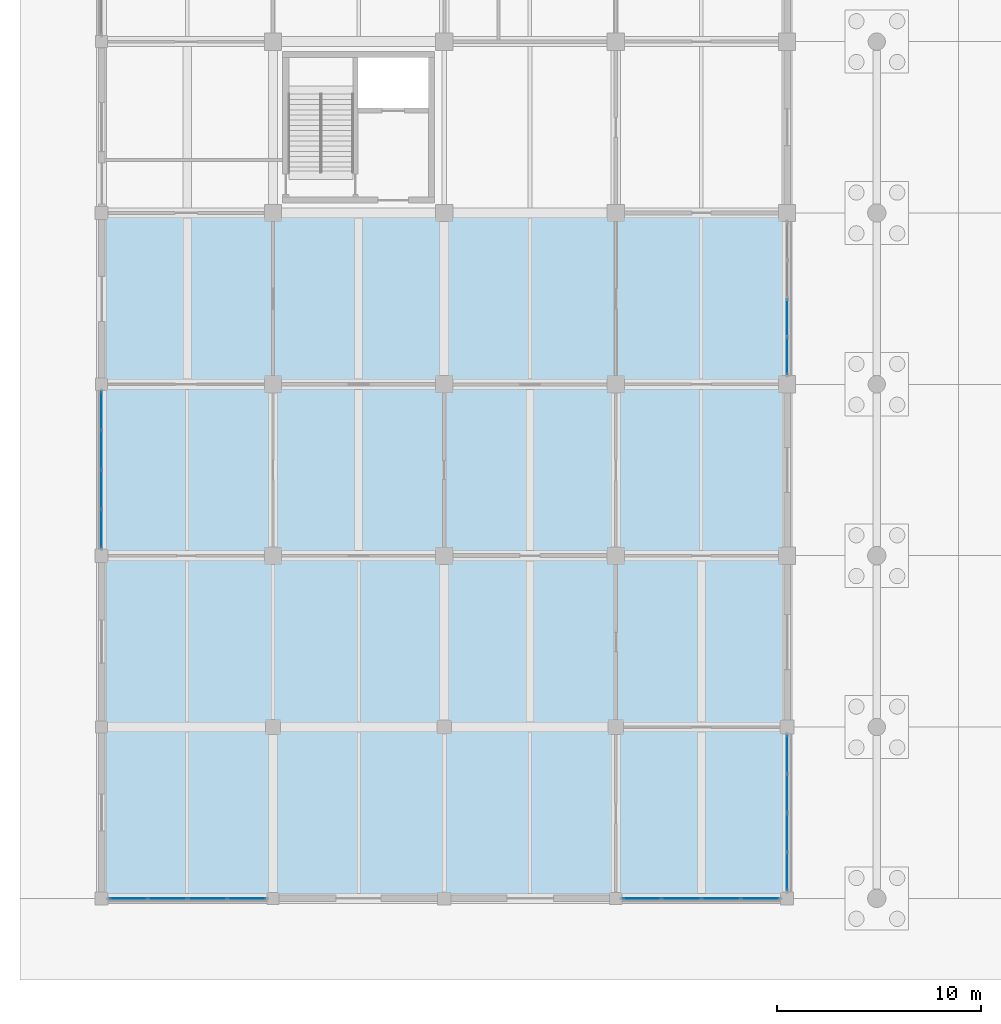
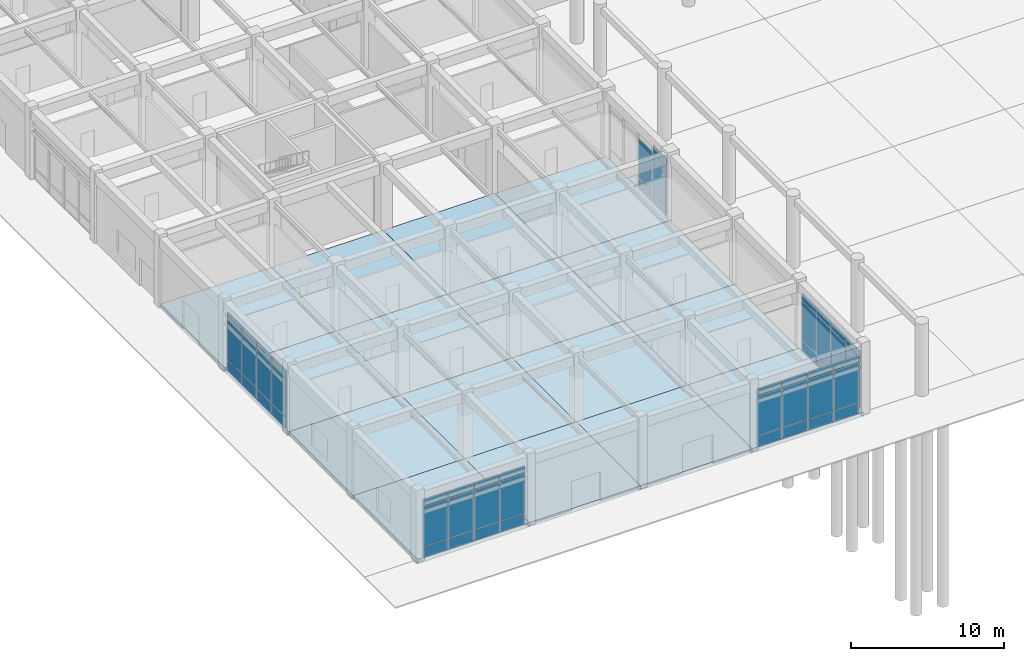
# One storey, part 48 of 91: 53 plates, 16 slabs, 5 elements without a shape of their own.
"""IFC4 building model written with IfcOpenShell, lengths in metres."""

from ifc_helpers import new_model, si_unit, direction, frame, origin, origin_2d, place, context, subcontext, project, spatial, polyline, rectangle, outline, extrude, material, layer, layer_set, type_object, element, aggregate, save


model = new_model("IFC4")

# Units and contexts
model_context = context("Model", 3, precision=1e-05, world=origin(), true_north=direction((0.0, 1.0)))
body_context = subcontext(model_context, "Body", "Model", "MODEL_VIEW")
ifc_project = project(units=[si_unit("LENGTHUNIT", "METRE"), si_unit("AREAUNIT", "SQUARE_METRE"), si_unit("VOLUMEUNIT", "CUBIC_METRE"), si_unit("PLANEANGLEUNIT", "RADIAN"), si_unit("MASSUNIT", "GRAM", prefix="KILO")], contexts=[model_context])

# Site, building, storey
site_placement = place(None, origin())
site = spatial("IfcSite", under=ifc_project, at=site_placement, CompositionType="ELEMENT")
building_placement = place(site_placement, origin())
building = spatial("IfcBuilding", under=site, at=building_placement, Name="Porcellanite Civic Hall", CompositionType="ELEMENT")
storey_placement = place(building_placement, origin())
storey = spatial("IfcBuildingStorey", under=building, at=storey_placement, Name="L00", CompositionType="ELEMENT", Elevation=0.0)

# Curtain wall, plates
ifc_material_1 = material(Name="Anodised aluminium and solar laminated glass", Category="aluminium")
ifc_layer_1 = layer(ifc_material_1, 0.179931640625)
ifc_layer_set_1 = layer_set([ifc_layer_1], Name="Anodised aluminium and solar laminated glass")
curtain_wall_type = type_object("IfcCurtainWallType", Name="CW-SYS05", PredefinedType="NOTDEFINED", material=ifc_layer_set_1)
curtain_wall_1_placement = place(storey_placement, origin())
curtain_wall_1 = element("IfcCurtainWall", 1, at=curtain_wall_1_placement, inside=storey, type_object=curtain_wall_type, Name="Curtain wall CW-001", PredefinedType="NOTDEFINED")
ifc_material_2 = material(Name="Cyclone laminated solar-control low-E glass", Category="glass")
ifc_layer_2 = layer(ifc_material_2, 0.028076171875)
ifc_layer_set_2 = layer_set([ifc_layer_2], Name="Cyclone laminated solar-control low-E glass")
plate_type = type_object("IfcPlateType", Name="CWP-03", PredefinedType="CURTAIN_PANEL", material=ifc_layer_set_2)
plate_1_placement = place(storey_placement, frame((7.10986328125, 0.0, 0.06005859375), z_axis=(0.0, 0.0, 1.0), x_axis=(-1.0, 0.0, 0.0)))
plate_1 = element("IfcPlate", 2, at=plate_1_placement, type_object=plate_type, Name="CW-001 panel 1.1", PredefinedType="CURTAIN_PANEL", context=body_context, shape_type="SweptSolid", body=[
    extrude(rectangle(XDim=1.838134765625, YDim=0.028076171875, at=origin_2d()), origin(), (0.0, 0.0, 1.0), 0.81005859375),
])
plate_2_placement = place(storey_placement, frame((7.10986328125, 0.0, 0.93017578125), z_axis=(0.0, 0.0, 1.0), x_axis=(-1.0, 0.0, 0.0)))
plate_2 = element("IfcPlate", 3, at=plate_2_placement, type_object=plate_type, Name="CW-001 panel 1.2", PredefinedType="CURTAIN_PANEL", context=body_context, shape_type="SweptSolid", body=[
    extrude(rectangle(XDim=1.838134765625, YDim=0.028076171875, at=origin_2d()), origin(), (0.0, 0.0, 1.0), 3.090087890625),
])
plate_3_placement = place(storey_placement, frame((7.10986328125, 0.0, 4.080078125), z_axis=(0.0, 0.0, 1.0), x_axis=(-1.0, 0.0, 0.0)))
plate_3 = element("IfcPlate", 4, at=plate_3_placement, type_object=plate_type, Name="CW-001 panel 1.3", PredefinedType="CURTAIN_PANEL", context=body_context, shape_type="SweptSolid", body=[
    extrude(rectangle(XDim=1.838134765625, YDim=0.028076171875, at=origin_2d()), origin(), (0.0, 0.0, 1.0), 0.56005859375),
])
plate_4_placement = place(storey_placement, frame((5.18408203125, 0.0, 0.06005859375), z_axis=(0.0, 0.0, 1.0), x_axis=(-1.0, 0.0, 0.0)))
plate_4 = element("IfcPlate", 5, at=plate_4_placement, type_object=plate_type, Name="CW-001 panel 2.1", PredefinedType="CURTAIN_PANEL", context=body_context, shape_type="SweptSolid", body=[
    extrude(rectangle(XDim=1.873291015625, YDim=0.028076171875, at=origin_2d()), origin(), (0.0, 0.0, 1.0), 0.81005859375),
])
plate_5_placement = place(storey_placement, frame((5.18408203125, 0.0, 0.93017578125), z_axis=(0.0, 0.0, 1.0), x_axis=(-1.0, 0.0, 0.0)))
plate_5 = element("IfcPlate", 6, at=plate_5_placement, type_object=plate_type, Name="CW-001 panel 2.2", PredefinedType="CURTAIN_PANEL", context=body_context, shape_type="SweptSolid", body=[
    extrude(rectangle(XDim=1.873291015625, YDim=0.028076171875, at=origin_2d()), origin(), (0.0, 0.0, 1.0), 3.090087890625),
])
plate_6_placement = place(storey_placement, frame((5.18408203125, 0.0, 4.080078125), z_axis=(0.0, 0.0, 1.0), x_axis=(-1.0, 0.0, 0.0)))
plate_6 = element("IfcPlate", 7, at=plate_6_placement, type_object=plate_type, Name="CW-001 panel 2.3", PredefinedType="CURTAIN_PANEL", context=body_context, shape_type="SweptSolid", body=[
    extrude(rectangle(XDim=1.873291015625, YDim=0.028076171875, at=origin_2d()), origin(), (0.0, 0.0, 1.0), 0.56005859375),
])
plate_7_placement = place(storey_placement, frame((3.240966796875, 0.0, 0.06005859375), z_axis=(0.0, 0.0, 1.0), x_axis=(-1.0, 0.0, 0.0)))
plate_7 = element("IfcPlate", 8, at=plate_7_placement, type_object=plate_type, Name="CW-001 panel 3.1", PredefinedType="CURTAIN_PANEL", context=body_context, shape_type="SweptSolid", body=[
    extrude(rectangle(XDim=1.873291015625, YDim=0.028076171875, at=origin_2d()), origin(), (0.0, 0.0, 1.0), 0.81005859375),
])
plate_8_placement = place(storey_placement, frame((3.240966796875, 0.0, 0.93017578125), z_axis=(0.0, 0.0, 1.0), x_axis=(-1.0, 0.0, 0.0)))
plate_8 = element("IfcPlate", 9, at=plate_8_placement, type_object=plate_type, Name="CW-001 panel 3.2", PredefinedType="CURTAIN_PANEL", context=body_context, shape_type="SweptSolid", body=[
    extrude(rectangle(XDim=1.873291015625, YDim=0.028076171875, at=origin_2d()), origin(), (0.0, 0.0, 1.0), 3.090087890625),
])
plate_9_placement = place(storey_placement, frame((3.240966796875, 0.0, 4.080078125), z_axis=(0.0, 0.0, 1.0), x_axis=(-1.0, 0.0, 0.0)))
plate_9 = element("IfcPlate", 10, at=plate_9_placement, type_object=plate_type, Name="CW-001 panel 3.3", PredefinedType="CURTAIN_PANEL", context=body_context, shape_type="SweptSolid", body=[
    extrude(rectangle(XDim=1.873291015625, YDim=0.028076171875, at=origin_2d()), origin(), (0.0, 0.0, 1.0), 0.56005859375),
])
plate_10_placement = place(storey_placement, frame((1.315185546875, 0.0, 0.06005859375), z_axis=(0.0, 0.0, 1.0), x_axis=(-1.0, 0.0, 0.0)))
plate_10 = element("IfcPlate", 11, at=plate_10_placement, type_object=plate_type, Name="CW-001 panel 4.1", PredefinedType="CURTAIN_PANEL", context=body_context, shape_type="SweptSolid", body=[
    extrude(rectangle(XDim=1.838134765625, YDim=0.028076171875, at=origin_2d()), origin(), (0.0, 0.0, 1.0), 0.81005859375),
])
plate_11_placement = place(storey_placement, frame((1.315185546875, 0.0, 0.93017578125), z_axis=(0.0, 0.0, 1.0), x_axis=(-1.0, 0.0, 0.0)))
plate_11 = element("IfcPlate", 12, at=plate_11_placement, type_object=plate_type, Name="CW-001 panel 4.2", PredefinedType="CURTAIN_PANEL", context=body_context, shape_type="SweptSolid", body=[
    extrude(rectangle(XDim=1.838134765625, YDim=0.028076171875, at=origin_2d()), origin(), (0.0, 0.0, 1.0), 3.090087890625),
])
plate_12_placement = place(storey_placement, frame((1.315185546875, 0.0, 4.080078125), z_axis=(0.0, 0.0, 1.0), x_axis=(-1.0, 0.0, 0.0)))
plate_12 = element("IfcPlate", 13, at=plate_12_placement, type_object=plate_type, Name="CW-001 panel 4.3", PredefinedType="CURTAIN_PANEL", context=body_context, shape_type="SweptSolid", body=[
    extrude(rectangle(XDim=1.838134765625, YDim=0.028076171875, at=origin_2d()), origin(), (0.0, 0.0, 1.0), 0.56005859375),
])
aggregate(curtain_wall_1, [plate_1, plate_2, plate_3, plate_4, plate_5, plate_6, plate_7, plate_8, plate_9, plate_10, plate_11, plate_12])

curtain_wall_2_placement = place(storey_placement, origin())
curtain_wall_2 = element("IfcCurtainWall", 14, at=curtain_wall_2_placement, inside=storey, type_object=curtain_wall_type, Name="Curtain wall CW-002", PredefinedType="NOTDEFINED")
plate_13_placement = place(storey_placement, frame((0.0, 18.115234375, 0.06005859375), z_axis=(0.0, 0.0, 1.0), x_axis=(0.0, 1.0, 0.0)))
plate_13 = element("IfcPlate", 15, at=plate_13_placement, type_object=plate_type, Name="CW-002 panel 1.1", PredefinedType="CURTAIN_PANEL", context=body_context, shape_type="SweptSolid", body=[
    extrude(rectangle(XDim=1.838134765625, YDim=0.028076171875, at=origin_2d()), origin(), (0.0, 0.0, 1.0), 0.81005859375),
])
plate_14_placement = place(storey_placement, frame((0.0, 18.115234375, 0.93017578125), z_axis=(0.0, 0.0, 1.0), x_axis=(0.0, 1.0, 0.0)))
plate_14 = element("IfcPlate", 16, at=plate_14_placement, type_object=plate_type, Name="CW-002 panel 1.2", PredefinedType="CURTAIN_PANEL", context=body_context, shape_type="SweptSolid", body=[
    extrude(rectangle(XDim=1.838134765625, YDim=0.028076171875, at=origin_2d()), origin(), (0.0, 0.0, 1.0), 3.090087890625),
])
plate_15_placement = place(storey_placement, frame((0.0, 18.115234375, 4.080078125), z_axis=(0.0, 0.0, 1.0), x_axis=(0.0, 1.0, 0.0)))
plate_15 = element("IfcPlate", 17, at=plate_15_placement, type_object=plate_type, Name="CW-002 panel 1.3", PredefinedType="CURTAIN_PANEL", context=body_context, shape_type="SweptSolid", body=[
    extrude(rectangle(XDim=1.838134765625, YDim=0.028076171875, at=origin_2d()), origin(), (0.0, 0.0, 1.0), 0.56005859375),
])
plate_16_placement = place(storey_placement, frame((0.0, 20.040771484375, 0.06005859375), z_axis=(0.0, 0.0, 1.0), x_axis=(0.0, 1.0, 0.0)))
plate_16 = element("IfcPlate", 18, at=plate_16_placement, type_object=plate_type, Name="CW-002 panel 2.1", PredefinedType="CURTAIN_PANEL", context=body_context, shape_type="SweptSolid", body=[
    extrude(rectangle(XDim=1.873291015625, YDim=0.028076171875, at=origin_2d()), origin(), (0.0, 0.0, 1.0), 0.81005859375),
])
plate_17_placement = place(storey_placement, frame((0.0, 20.040771484375, 0.93017578125), z_axis=(0.0, 0.0, 1.0), x_axis=(0.0, 1.0, 0.0)))
plate_17 = element("IfcPlate", 19, at=plate_17_placement, type_object=plate_type, Name="CW-002 panel 2.2", PredefinedType="CURTAIN_PANEL", context=body_context, shape_type="SweptSolid", body=[
    extrude(rectangle(XDim=1.873291015625, YDim=0.028076171875, at=origin_2d()), origin(), (0.0, 0.0, 1.0), 3.090087890625),
])
plate_18_placement = place(storey_placement, frame((0.0, 20.040771484375, 4.080078125), z_axis=(0.0, 0.0, 1.0), x_axis=(0.0, 1.0, 0.0)))
plate_18 = element("IfcPlate", 20, at=plate_18_placement, type_object=plate_type, Name="CW-002 panel 2.3", PredefinedType="CURTAIN_PANEL", context=body_context, shape_type="SweptSolid", body=[
    extrude(rectangle(XDim=1.873291015625, YDim=0.028076171875, at=origin_2d()), origin(), (0.0, 0.0, 1.0), 0.56005859375),
])
plate_19_placement = place(storey_placement, frame((0.0, 21.984130859375, 0.06005859375), z_axis=(0.0, 0.0, 1.0), x_axis=(0.0, 1.0, 0.0)))
plate_19 = element("IfcPlate", 21, at=plate_19_placement, type_object=plate_type, Name="CW-002 panel 3.1", PredefinedType="CURTAIN_PANEL", context=body_context, shape_type="SweptSolid", body=[
    extrude(rectangle(XDim=1.873291015625, YDim=0.028076171875, at=origin_2d()), origin(), (0.0, 0.0, 1.0), 0.81005859375),
])
plate_20_placement = place(storey_placement, frame((0.0, 21.984130859375, 0.93017578125), z_axis=(0.0, 0.0, 1.0), x_axis=(0.0, 1.0, 0.0)))
plate_20 = element("IfcPlate", 22, at=plate_20_placement, type_object=plate_type, Name="CW-002 panel 3.2", PredefinedType="CURTAIN_PANEL", context=body_context, shape_type="SweptSolid", body=[
    extrude(rectangle(XDim=1.873291015625, YDim=0.028076171875, at=origin_2d()), origin(), (0.0, 0.0, 1.0), 3.090087890625),
])
plate_21_placement = place(storey_placement, frame((0.0, 21.984130859375, 4.080078125), z_axis=(0.0, 0.0, 1.0), x_axis=(0.0, 1.0, 0.0)))
plate_21 = element("IfcPlate", 23, at=plate_21_placement, type_object=plate_type, Name="CW-002 panel 3.3", PredefinedType="CURTAIN_PANEL", context=body_context, shape_type="SweptSolid", body=[
    extrude(rectangle(XDim=1.873291015625, YDim=0.028076171875, at=origin_2d()), origin(), (0.0, 0.0, 1.0), 0.56005859375),
])
plate_22_placement = place(storey_placement, frame((0.0, 23.909912109375, 0.06005859375), z_axis=(0.0, 0.0, 1.0), x_axis=(0.0, 1.0, 0.0)))
plate_22 = element("IfcPlate", 24, at=plate_22_placement, type_object=plate_type, Name="CW-002 panel 4.1", PredefinedType="CURTAIN_PANEL", context=body_context, shape_type="SweptSolid", body=[
    extrude(rectangle(XDim=1.838134765625, YDim=0.028076171875, at=origin_2d()), origin(), (0.0, 0.0, 1.0), 0.81005859375),
])
plate_23_placement = place(storey_placement, frame((0.0, 23.909912109375, 0.93017578125), z_axis=(0.0, 0.0, 1.0), x_axis=(0.0, 1.0, 0.0)))
plate_23 = element("IfcPlate", 25, at=plate_23_placement, type_object=plate_type, Name="CW-002 panel 4.2", PredefinedType="CURTAIN_PANEL", context=body_context, shape_type="SweptSolid", body=[
    extrude(rectangle(XDim=1.838134765625, YDim=0.028076171875, at=origin_2d()), origin(), (0.0, 0.0, 1.0), 3.090087890625),
])
plate_24_placement = place(storey_placement, frame((0.0, 23.909912109375, 4.080078125), z_axis=(0.0, 0.0, 1.0), x_axis=(0.0, 1.0, 0.0)))
plate_24 = element("IfcPlate", 26, at=plate_24_placement, type_object=plate_type, Name="CW-002 panel 4.3", PredefinedType="CURTAIN_PANEL", context=body_context, shape_type="SweptSolid", body=[
    extrude(rectangle(XDim=1.838134765625, YDim=0.028076171875, at=origin_2d()), origin(), (0.0, 0.0, 1.0), 0.56005859375),
])
aggregate(curtain_wall_2, [plate_13, plate_14, plate_15, plate_16, plate_17, plate_18, plate_19, plate_20, plate_21, plate_22, plate_23, plate_24])

curtain_wall_3_placement = place(storey_placement, origin())
curtain_wall_3 = element("IfcCurtainWall", 27, at=curtain_wall_3_placement, inside=storey, type_object=curtain_wall_type, Name="Curtain wall CW-010", PredefinedType="NOTDEFINED")
plate_25_placement = place(storey_placement, frame((32.284912109375, 0.0, 0.06005859375), z_axis=(0.0, 0.0, 1.0), x_axis=(-1.0, 0.0, 0.0)))
plate_25 = element("IfcPlate", 28, at=plate_25_placement, type_object=plate_type, Name="CW-010 panel 1.1", PredefinedType="CURTAIN_PANEL", context=body_context, shape_type="SweptSolid", body=[
    extrude(rectangle(XDim=1.838134765625, YDim=0.028076171875, at=origin_2d()), origin(), (0.0, 0.0, 1.0), 0.81005859375),
])
plate_26_placement = place(storey_placement, frame((32.284912109375, 0.0, 0.93017578125), z_axis=(0.0, 0.0, 1.0), x_axis=(-1.0, 0.0, 0.0)))
plate_26 = element("IfcPlate", 29, at=plate_26_placement, type_object=plate_type, Name="CW-010 panel 1.2", PredefinedType="CURTAIN_PANEL", context=body_context, shape_type="SweptSolid", body=[
    extrude(rectangle(XDim=1.838134765625, YDim=0.028076171875, at=origin_2d()), origin(), (0.0, 0.0, 1.0), 3.090087890625),
])
plate_27_placement = place(storey_placement, frame((32.284912109375, 0.0, 4.080078125), z_axis=(0.0, 0.0, 1.0), x_axis=(-1.0, 0.0, 0.0)))
plate_27 = element("IfcPlate", 30, at=plate_27_placement, type_object=plate_type, Name="CW-010 panel 1.3", PredefinedType="CURTAIN_PANEL", context=body_context, shape_type="SweptSolid", body=[
    extrude(rectangle(XDim=1.838134765625, YDim=0.028076171875, at=origin_2d()), origin(), (0.0, 0.0, 1.0), 0.56005859375),
])
plate_28_placement = place(storey_placement, frame((30.359130859375, 0.0, 0.06005859375), z_axis=(0.0, 0.0, 1.0), x_axis=(-1.0, 0.0, 0.0)))
plate_28 = element("IfcPlate", 31, at=plate_28_placement, type_object=plate_type, Name="CW-010 panel 2.1", PredefinedType="CURTAIN_PANEL", context=body_context, shape_type="SweptSolid", body=[
    extrude(rectangle(XDim=1.873291015625, YDim=0.028076171875, at=origin_2d()), origin(), (0.0, 0.0, 1.0), 0.81005859375),
])
plate_29_placement = place(storey_placement, frame((30.359130859375, 0.0, 0.93017578125), z_axis=(0.0, 0.0, 1.0), x_axis=(-1.0, 0.0, 0.0)))
plate_29 = element("IfcPlate", 32, at=plate_29_placement, type_object=plate_type, Name="CW-010 panel 2.2", PredefinedType="CURTAIN_PANEL", context=body_context, shape_type="SweptSolid", body=[
    extrude(rectangle(XDim=1.873291015625, YDim=0.028076171875, at=origin_2d()), origin(), (0.0, 0.0, 1.0), 3.090087890625),
])
plate_30_placement = place(storey_placement, frame((30.359130859375, 0.0, 4.080078125), z_axis=(0.0, 0.0, 1.0), x_axis=(-1.0, 0.0, 0.0)))
plate_30 = element("IfcPlate", 33, at=plate_30_placement, type_object=plate_type, Name="CW-010 panel 2.3", PredefinedType="CURTAIN_PANEL", context=body_context, shape_type="SweptSolid", body=[
    extrude(rectangle(XDim=1.873291015625, YDim=0.028076171875, at=origin_2d()), origin(), (0.0, 0.0, 1.0), 0.56005859375),
])
plate_31_placement = place(storey_placement, frame((28.415771484375, 0.0, 0.06005859375), z_axis=(0.0, 0.0, 1.0), x_axis=(-1.0, 0.0, 0.0)))
plate_31 = element("IfcPlate", 34, at=plate_31_placement, type_object=plate_type, Name="CW-010 panel 3.1", PredefinedType="CURTAIN_PANEL", context=body_context, shape_type="SweptSolid", body=[
    extrude(rectangle(XDim=1.873291015625, YDim=0.028076171875, at=origin_2d()), origin(), (0.0, 0.0, 1.0), 0.81005859375),
])
plate_32_placement = place(storey_placement, frame((28.415771484375, 0.0, 0.93017578125), z_axis=(0.0, 0.0, 1.0), x_axis=(-1.0, 0.0, 0.0)))
plate_32 = element("IfcPlate", 35, at=plate_32_placement, type_object=plate_type, Name="CW-010 panel 3.2", PredefinedType="CURTAIN_PANEL", context=body_context, shape_type="SweptSolid", body=[
    extrude(rectangle(XDim=1.873291015625, YDim=0.028076171875, at=origin_2d()), origin(), (0.0, 0.0, 1.0), 3.090087890625),
])
plate_33_placement = place(storey_placement, frame((28.415771484375, 0.0, 4.080078125), z_axis=(0.0, 0.0, 1.0), x_axis=(-1.0, 0.0, 0.0)))
plate_33 = element("IfcPlate", 36, at=plate_33_placement, type_object=plate_type, Name="CW-010 panel 3.3", PredefinedType="CURTAIN_PANEL", context=body_context, shape_type="SweptSolid", body=[
    extrude(rectangle(XDim=1.873291015625, YDim=0.028076171875, at=origin_2d()), origin(), (0.0, 0.0, 1.0), 0.56005859375),
])
plate_34_placement = place(storey_placement, frame((26.490234375, 0.0, 0.06005859375), z_axis=(0.0, 0.0, 1.0), x_axis=(-1.0, 0.0, 0.0)))
plate_34 = element("IfcPlate", 37, at=plate_34_placement, type_object=plate_type, Name="CW-010 panel 4.1", PredefinedType="CURTAIN_PANEL", context=body_context, shape_type="SweptSolid", body=[
    extrude(rectangle(XDim=1.838134765625, YDim=0.028076171875, at=origin_2d()), origin(), (0.0, 0.0, 1.0), 0.81005859375),
])
plate_35_placement = place(storey_placement, frame((26.490234375, 0.0, 0.93017578125), z_axis=(0.0, 0.0, 1.0), x_axis=(-1.0, 0.0, 0.0)))
plate_35 = element("IfcPlate", 38, at=plate_35_placement, type_object=plate_type, Name="CW-010 panel 4.2", PredefinedType="CURTAIN_PANEL", context=body_context, shape_type="SweptSolid", body=[
    extrude(rectangle(XDim=1.838134765625, YDim=0.028076171875, at=origin_2d()), origin(), (0.0, 0.0, 1.0), 3.090087890625),
])
plate_36_placement = place(storey_placement, frame((26.490234375, 0.0, 4.080078125), z_axis=(0.0, 0.0, 1.0), x_axis=(-1.0, 0.0, 0.0)))
plate_36 = element("IfcPlate", 39, at=plate_36_placement, type_object=plate_type, Name="CW-010 panel 4.3", PredefinedType="CURTAIN_PANEL", context=body_context, shape_type="SweptSolid", body=[
    extrude(rectangle(XDim=1.838134765625, YDim=0.028076171875, at=origin_2d()), origin(), (0.0, 0.0, 1.0), 0.56005859375),
])
aggregate(curtain_wall_3, [plate_25, plate_26, plate_27, plate_28, plate_29, plate_30, plate_31, plate_32, plate_33, plate_34, plate_35, plate_36])

curtain_wall_4_placement = place(storey_placement, origin())
curtain_wall_4 = element("IfcCurtainWall", 40, at=curtain_wall_4_placement, inside=storey, type_object=curtain_wall_type, Name="Curtain wall CW-011", PredefinedType="NOTDEFINED")
plate_37_placement = place(storey_placement, frame((33.60009765625, 7.066162109375, 0.06005859375), z_axis=(0.0, 0.0, 1.0), x_axis=(0.0, -1.0, 0.0)))
plate_37 = element("IfcPlate", 41, at=plate_37_placement, type_object=plate_type, Name="CW-011 panel 1.1", PredefinedType="CURTAIN_PANEL", context=body_context, shape_type="SweptSolid", body=[
    extrude(rectangle(XDim=1.82568359375, YDim=0.028076171875, at=origin_2d()), origin(), (0.0, 0.0, 1.0), 0.81005859375),
])
plate_38_placement = place(storey_placement, frame((33.60009765625, 7.066162109375, 0.93017578125), z_axis=(0.0, 0.0, 1.0), x_axis=(0.0, -1.0, 0.0)))
plate_38 = element("IfcPlate", 42, at=plate_38_placement, type_object=plate_type, Name="CW-011 panel 1.2", PredefinedType="CURTAIN_PANEL", context=body_context, shape_type="SweptSolid", body=[
    extrude(rectangle(XDim=1.82568359375, YDim=0.028076171875, at=origin_2d()), origin(), (0.0, 0.0, 1.0), 3.090087890625),
])
plate_39_placement = place(storey_placement, frame((33.60009765625, 7.066162109375, 4.080078125), z_axis=(0.0, 0.0, 1.0), x_axis=(0.0, -1.0, 0.0)))
plate_39 = element("IfcPlate", 43, at=plate_39_placement, type_object=plate_type, Name="CW-011 panel 1.3", PredefinedType="CURTAIN_PANEL", context=body_context, shape_type="SweptSolid", body=[
    extrude(rectangle(XDim=1.82568359375, YDim=0.028076171875, at=origin_2d()), origin(), (0.0, 0.0, 1.0), 0.56005859375),
])
plate_40_placement = place(storey_placement, frame((33.60009765625, 5.15283203125, 0.06005859375), z_axis=(0.0, 0.0, 1.0), x_axis=(0.0, -1.0, 0.0)))
plate_40 = element("IfcPlate", 44, at=plate_40_placement, type_object=plate_type, Name="CW-011 panel 2.1", PredefinedType="CURTAIN_PANEL", context=body_context, shape_type="SweptSolid", body=[
    extrude(rectangle(XDim=1.86083984375, YDim=0.028076171875, at=origin_2d()), origin(), (0.0, 0.0, 1.0), 0.81005859375),
])
plate_41_placement = place(storey_placement, frame((33.60009765625, 5.15283203125, 0.93017578125), z_axis=(0.0, 0.0, 1.0), x_axis=(0.0, -1.0, 0.0)))
plate_41 = element("IfcPlate", 45, at=plate_41_placement, type_object=plate_type, Name="CW-011 panel 2.2", PredefinedType="CURTAIN_PANEL", context=body_context, shape_type="SweptSolid", body=[
    extrude(rectangle(XDim=1.86083984375, YDim=0.028076171875, at=origin_2d()), origin(), (0.0, 0.0, 1.0), 3.090087890625),
])
plate_42_placement = place(storey_placement, frame((33.60009765625, 5.15283203125, 4.080078125), z_axis=(0.0, 0.0, 1.0), x_axis=(0.0, -1.0, 0.0)))
plate_42 = element("IfcPlate", 46, at=plate_42_placement, type_object=plate_type, Name="CW-011 panel 2.3", PredefinedType="CURTAIN_PANEL", context=body_context, shape_type="SweptSolid", body=[
    extrude(rectangle(XDim=1.86083984375, YDim=0.028076171875, at=origin_2d()), origin(), (0.0, 0.0, 1.0), 0.56005859375),
])
plate_43_placement = place(storey_placement, frame((33.60009765625, 3.22216796875, 0.06005859375), z_axis=(0.0, 0.0, 1.0), x_axis=(0.0, -1.0, 0.0)))
plate_43 = element("IfcPlate", 47, at=plate_43_placement, type_object=plate_type, Name="CW-011 panel 3.1", PredefinedType="CURTAIN_PANEL", context=body_context, shape_type="SweptSolid", body=[
    extrude(rectangle(XDim=1.86083984375, YDim=0.028076171875, at=origin_2d()), origin(), (0.0, 0.0, 1.0), 0.81005859375),
])
plate_44_placement = place(storey_placement, frame((33.60009765625, 3.22216796875, 0.93017578125), z_axis=(0.0, 0.0, 1.0), x_axis=(0.0, -1.0, 0.0)))
plate_44 = element("IfcPlate", 48, at=plate_44_placement, type_object=plate_type, Name="CW-011 panel 3.2", PredefinedType="CURTAIN_PANEL", context=body_context, shape_type="SweptSolid", body=[
    extrude(rectangle(XDim=1.86083984375, YDim=0.028076171875, at=origin_2d()), origin(), (0.0, 0.0, 1.0), 3.090087890625),
])
plate_45_placement = place(storey_placement, frame((33.60009765625, 3.22216796875, 4.080078125), z_axis=(0.0, 0.0, 1.0), x_axis=(0.0, -1.0, 0.0)))
plate_45 = element("IfcPlate", 49, at=plate_45_placement, type_object=plate_type, Name="CW-011 panel 3.3", PredefinedType="CURTAIN_PANEL", context=body_context, shape_type="SweptSolid", body=[
    extrude(rectangle(XDim=1.86083984375, YDim=0.028076171875, at=origin_2d()), origin(), (0.0, 0.0, 1.0), 0.56005859375),
])
plate_46_placement = place(storey_placement, frame((33.60009765625, 1.308837890625, 0.06005859375), z_axis=(0.0, 0.0, 1.0), x_axis=(0.0, -1.0, 0.0)))
plate_46 = element("IfcPlate", 50, at=plate_46_placement, type_object=plate_type, Name="CW-011 panel 4.1", PredefinedType="CURTAIN_PANEL", context=body_context, shape_type="SweptSolid", body=[
    extrude(rectangle(XDim=1.82568359375, YDim=0.028076171875, at=origin_2d()), origin(), (0.0, 0.0, 1.0), 0.81005859375),
])
plate_47_placement = place(storey_placement, frame((33.60009765625, 1.308837890625, 0.93017578125), z_axis=(0.0, 0.0, 1.0), x_axis=(0.0, -1.0, 0.0)))
plate_47 = element("IfcPlate", 51, at=plate_47_placement, type_object=plate_type, Name="CW-011 panel 4.2", PredefinedType="CURTAIN_PANEL", context=body_context, shape_type="SweptSolid", body=[
    extrude(rectangle(XDim=1.82568359375, YDim=0.028076171875, at=origin_2d()), origin(), (0.0, 0.0, 1.0), 3.090087890625),
])
plate_48_placement = place(storey_placement, frame((33.60009765625, 1.308837890625, 4.080078125), z_axis=(0.0, 0.0, 1.0), x_axis=(0.0, -1.0, 0.0)))
plate_48 = element("IfcPlate", 52, at=plate_48_placement, type_object=plate_type, Name="CW-011 panel 4.3", PredefinedType="CURTAIN_PANEL", context=body_context, shape_type="SweptSolid", body=[
    extrude(rectangle(XDim=1.82568359375, YDim=0.028076171875, at=origin_2d()), origin(), (0.0, 0.0, 1.0), 0.56005859375),
])
aggregate(curtain_wall_4, [plate_37, plate_38, plate_39, plate_40, plate_41, plate_42, plate_43, plate_44, plate_45, plate_46, plate_47, plate_48])

curtain_wall_5_placement = place(storey_placement, origin())
curtain_wall_5 = element("IfcCurtainWall", 53, at=curtain_wall_5_placement, inside=storey, type_object=curtain_wall_type, Name="Curtain wall CW-012", PredefinedType="NOTDEFINED")
plate_49_placement = place(storey_placement, frame((33.60009765625, 28.45654296875, 0.06005859375), z_axis=(0.0, 0.0, 1.0), x_axis=(0.0, -1.0, 0.0)))
plate_49 = element("IfcPlate", 54, at=plate_49_placement, type_object=plate_type, Name="CW-012 panel 3.1", PredefinedType="CURTAIN_PANEL", context=body_context, shape_type="SweptSolid", body=[
    extrude(rectangle(XDim=1.81689453125, YDim=0.028076171875, at=origin_2d()), origin(), (0.0, 0.0, 1.0), 0.81005859375),
])
plate_50_placement = place(storey_placement, frame((33.60009765625, 28.45654296875, 0.93017578125), z_axis=(0.0, 0.0, 1.0), x_axis=(0.0, -1.0, 0.0)))
plate_50 = element("IfcPlate", 55, at=plate_50_placement, type_object=plate_type, Name="CW-012 panel 3.2", PredefinedType="CURTAIN_PANEL", context=body_context, shape_type="SweptSolid", body=[
    extrude(rectangle(XDim=1.81689453125, YDim=0.028076171875, at=origin_2d()), origin(), (0.0, 0.0, 1.0), 3.090087890625),
])
plate_51_placement = place(storey_placement, frame((33.60009765625, 26.5869140625, 0.06005859375), z_axis=(0.0, 0.0, 1.0), x_axis=(0.0, -1.0, 0.0)))
plate_51 = element("IfcPlate", 56, at=plate_51_placement, type_object=plate_type, Name="CW-012 panel 4.1", PredefinedType="CURTAIN_PANEL", context=body_context, shape_type="SweptSolid", body=[
    extrude(rectangle(XDim=1.781982421875, YDim=0.028076171875, at=origin_2d()), origin(), (0.0, 0.0, 1.0), 0.81005859375),
])
plate_52_placement = place(storey_placement, frame((33.60009765625, 26.5869140625, 0.93017578125), z_axis=(0.0, 0.0, 1.0), x_axis=(0.0, -1.0, 0.0)))
plate_52 = element("IfcPlate", 57, at=plate_52_placement, type_object=plate_type, Name="CW-012 panel 4.2", PredefinedType="CURTAIN_PANEL", context=body_context, shape_type="SweptSolid", body=[
    extrude(rectangle(XDim=1.781982421875, YDim=0.028076171875, at=origin_2d()), origin(), (0.0, 0.0, 1.0), 3.090087890625),
])
plate_53_placement = place(storey_placement, frame((33.60009765625, 26.5869140625, 4.080078125), z_axis=(0.0, 0.0, 1.0), x_axis=(0.0, -1.0, 0.0)))
plate_53 = element("IfcPlate", 58, at=plate_53_placement, type_object=plate_type, Name="CW-012 panel 4.3", PredefinedType="CURTAIN_PANEL", context=body_context, shape_type="SweptSolid", body=[
    extrude(rectangle(XDim=1.781982421875, YDim=0.028076171875, at=origin_2d()), origin(), (0.0, 0.0, 1.0), 0.56005859375),
])
aggregate(curtain_wall_5, [plate_49, plate_50, plate_51, plate_52, plate_53])

# Slabs
ifc_material_3 = material(Name="Concrete N40 (40 MPa)", Category="concrete")
ifc_layer_3 = layer(ifc_material_3, 0.35009765625)
ifc_layer_set_3 = layer_set([ifc_layer_3], Name="Concrete N40 (40 MPa)")
slab_type_1 = type_object("IfcSlabType", Name="SL-BASE350", PredefinedType="BASESLAB", material=ifc_layer_set_3)
slab_1_placement = place(storey_placement, frame((0.0, 0.0, -0.35009765625)))
element("IfcSlab", 59, at=slab_1_placement, inside=storey, type_object=slab_type_1, Name="Slab L00 bay 1-1", PredefinedType="BASESLAB", context=body_context, shape_type="SweptSolid", body=[
    extrude(outline(polyline([(0.0, 0.0), (8.39990234375, 0.0), (8.39990234375, 8.39990234375), (0.0, 8.39990234375), (0.0, 0.0)])), origin(), (0.0, 0.0, 1.0), 0.35009765625),
])
slab_2_placement = place(storey_placement, frame((0.0, 0.0, -0.35009765625)))
element("IfcSlab", 60, at=slab_2_placement, inside=storey, type_object=slab_type_1, Name="Slab L00 bay 1-2", PredefinedType="BASESLAB", context=body_context, shape_type="SweptSolid", body=[
    extrude(outline(polyline([(0.0, 8.39990234375), (8.39990234375, 8.39990234375), (8.39990234375, 16.800048828125), (0.0, 16.800048828125), (0.0, 8.39990234375)])), origin(), (0.0, 0.0, 1.0), 0.35009765625),
])
slab_3_placement = place(storey_placement, frame((0.0, 0.0, -0.35009765625)))
element("IfcSlab", 61, at=slab_3_placement, inside=storey, type_object=slab_type_1, Name="Slab L00 bay 1-3", PredefinedType="BASESLAB", context=body_context, shape_type="SweptSolid", body=[
    extrude(outline(polyline([(0.0, 16.800048828125), (8.39990234375, 16.800048828125), (8.39990234375, 25.199951171875), (0.0, 25.199951171875), (0.0, 16.800048828125)])), origin(), (0.0, 0.0, 1.0), 0.35009765625),
])
slab_4_placement = place(storey_placement, frame((0.0, 0.0, -0.35009765625)))
element("IfcSlab", 62, at=slab_4_placement, inside=storey, type_object=slab_type_1, Name="Slab L00 bay 1-4", PredefinedType="BASESLAB", context=body_context, shape_type="SweptSolid", body=[
    extrude(outline(polyline([(0.0, 25.199951171875), (8.39990234375, 25.199951171875), (8.39990234375, 33.60009765625), (0.0, 33.60009765625), (0.0, 25.199951171875)])), origin(), (0.0, 0.0, 1.0), 0.35009765625),
])
slab_5_placement = place(storey_placement, frame((0.0, 0.0, -0.35009765625)))
element("IfcSlab", 63, at=slab_5_placement, inside=storey, type_object=slab_type_1, Name="Slab L00 bay 2-1", PredefinedType="BASESLAB", context=body_context, shape_type="SweptSolid", body=[
    extrude(outline(polyline([(8.39990234375, 0.0), (16.800048828125, 0.0), (16.800048828125, 8.39990234375), (8.39990234375, 8.39990234375), (8.39990234375, 0.0)])), origin(), (0.0, 0.0, 1.0), 0.35009765625),
])
slab_6_placement = place(storey_placement, frame((0.0, 0.0, -0.35009765625)))
element("IfcSlab", 64, at=slab_6_placement, inside=storey, type_object=slab_type_1, Name="Slab L00 bay 2-2", PredefinedType="BASESLAB", context=body_context, shape_type="SweptSolid", body=[
    extrude(outline(polyline([(8.39990234375, 8.39990234375), (16.800048828125, 8.39990234375), (16.800048828125, 16.800048828125), (8.39990234375, 16.800048828125), (8.39990234375, 8.39990234375)])), origin(), (0.0, 0.0, 1.0), 0.35009765625),
])
slab_7_placement = place(storey_placement, frame((0.0, 0.0, -0.35009765625)))
element("IfcSlab", 65, at=slab_7_placement, inside=storey, type_object=slab_type_1, Name="Slab L00 bay 3-1", PredefinedType="BASESLAB", context=body_context, shape_type="SweptSolid", body=[
    extrude(outline(polyline([(16.800048828125, 0.0), (25.199951171875, 0.0), (25.199951171875, 8.39990234375), (16.800048828125, 8.39990234375), (16.800048828125, 0.0)])), origin(), (0.0, 0.0, 1.0), 0.35009765625),
])
slab_8_placement = place(storey_placement, frame((0.0, 0.0, -0.35009765625)))
element("IfcSlab", 66, at=slab_8_placement, inside=storey, type_object=slab_type_1, Name="Slab L00 bay 3-2", PredefinedType="BASESLAB", context=body_context, shape_type="SweptSolid", body=[
    extrude(outline(polyline([(16.800048828125, 8.39990234375), (25.199951171875, 8.39990234375), (25.199951171875, 16.800048828125), (16.800048828125, 16.800048828125), (16.800048828125, 8.39990234375)])), origin(), (0.0, 0.0, 1.0), 0.35009765625),
])
slab_9_placement = place(storey_placement, frame((0.0, 0.0, -0.35009765625)))
element("IfcSlab", 67, at=slab_9_placement, inside=storey, type_object=slab_type_1, Name="Slab L00 bay 4-1", PredefinedType="BASESLAB", context=body_context, shape_type="SweptSolid", body=[
    extrude(outline(polyline([(25.199951171875, 0.0), (33.60009765625, 0.0), (33.60009765625, 8.39990234375), (25.199951171875, 8.39990234375), (25.199951171875, 0.0)])), origin(), (0.0, 0.0, 1.0), 0.35009765625),
])
slab_10_placement = place(storey_placement, frame((0.0, 0.0, -0.35009765625)))
element("IfcSlab", 68, at=slab_10_placement, inside=storey, type_object=slab_type_1, Name="Slab L00 bay 4-2", PredefinedType="BASESLAB", context=body_context, shape_type="SweptSolid", body=[
    extrude(outline(polyline([(25.199951171875, 8.39990234375), (33.60009765625, 8.39990234375), (33.60009765625, 16.800048828125), (25.199951171875, 16.800048828125), (25.199951171875, 8.39990234375)])), origin(), (0.0, 0.0, 1.0), 0.35009765625),
])
ifc_material_4 = material(Name="Concrete N40 (40 MPa)", Category="concrete")
ifc_layer_4 = layer(ifc_material_4, 0.300048828125)
ifc_layer_set_4 = layer_set([ifc_layer_4], Name="Concrete N40 (40 MPa)")
slab_type_2 = type_object("IfcSlabType", Name="SL-TR300", PredefinedType="FLOOR", material=ifc_layer_set_4)
slab_11_placement = place(storey_placement, frame((0.0, 0.0, -0.300048828125)))
element("IfcSlab", 69, at=slab_11_placement, inside=storey, type_object=slab_type_2, Name="Slab L00 bay 2-3", PredefinedType="FLOOR", context=body_context, shape_type="SweptSolid", body=[
    extrude(outline(polyline([(8.39990234375, 16.800048828125), (16.800048828125, 16.800048828125), (16.800048828125, 25.199951171875), (8.39990234375, 25.199951171875), (8.39990234375, 16.800048828125)])), origin(), (0.0, 0.0, 1.0), 0.300048828125),
])
slab_12_placement = place(storey_placement, frame((0.0, 0.0, -0.300048828125)))
element("IfcSlab", 70, at=slab_12_placement, inside=storey, type_object=slab_type_2, Name="Slab L00 bay 2-4", PredefinedType="FLOOR", context=body_context, shape_type="SweptSolid", body=[
    extrude(outline(polyline([(8.39990234375, 25.199951171875), (16.800048828125, 25.199951171875), (16.800048828125, 33.60009765625), (8.39990234375, 33.60009765625), (8.39990234375, 25.199951171875)])), origin(), (0.0, 0.0, 1.0), 0.300048828125),
])
slab_13_placement = place(storey_placement, frame((0.0, 0.0, -0.300048828125)))
element("IfcSlab", 71, at=slab_13_placement, inside=storey, type_object=slab_type_2, Name="Slab L00 bay 3-3", PredefinedType="FLOOR", context=body_context, shape_type="SweptSolid", body=[
    extrude(outline(polyline([(16.800048828125, 16.800048828125), (25.199951171875, 16.800048828125), (25.199951171875, 25.199951171875), (16.800048828125, 25.199951171875), (16.800048828125, 16.800048828125)])), origin(), (0.0, 0.0, 1.0), 0.300048828125),
])
slab_14_placement = place(storey_placement, frame((0.0, 0.0, -0.300048828125)))
element("IfcSlab", 72, at=slab_14_placement, inside=storey, type_object=slab_type_2, Name="Slab L00 bay 3-4", PredefinedType="FLOOR", context=body_context, shape_type="SweptSolid", body=[
    extrude(outline(polyline([(16.800048828125, 25.199951171875), (25.199951171875, 25.199951171875), (25.199951171875, 33.60009765625), (16.800048828125, 33.60009765625), (16.800048828125, 25.199951171875)])), origin(), (0.0, 0.0, 1.0), 0.300048828125),
])
slab_15_placement = place(storey_placement, frame((0.0, 0.0, -0.300048828125)))
element("IfcSlab", 73, at=slab_15_placement, inside=storey, type_object=slab_type_2, Name="Slab L00 bay 4-3", PredefinedType="FLOOR", context=body_context, shape_type="SweptSolid", body=[
    extrude(outline(polyline([(25.199951171875, 16.800048828125), (33.60009765625, 16.800048828125), (33.60009765625, 25.199951171875), (25.199951171875, 25.199951171875), (25.199951171875, 16.800048828125)])), origin(), (0.0, 0.0, 1.0), 0.300048828125),
])
slab_16_placement = place(storey_placement, frame((0.0, 0.0, -0.300048828125)))
element("IfcSlab", 74, at=slab_16_placement, inside=storey, type_object=slab_type_2, Name="Slab L00 bay 4-4", PredefinedType="FLOOR", context=body_context, shape_type="SweptSolid", body=[
    extrude(outline(polyline([(25.199951171875, 25.199951171875), (33.60009765625, 25.199951171875), (33.60009765625, 33.60009765625), (25.199951171875, 33.60009765625), (25.199951171875, 25.199951171875)])), origin(), (0.0, 0.0, 1.0), 0.300048828125),
])

save(model, "model.ifc")
